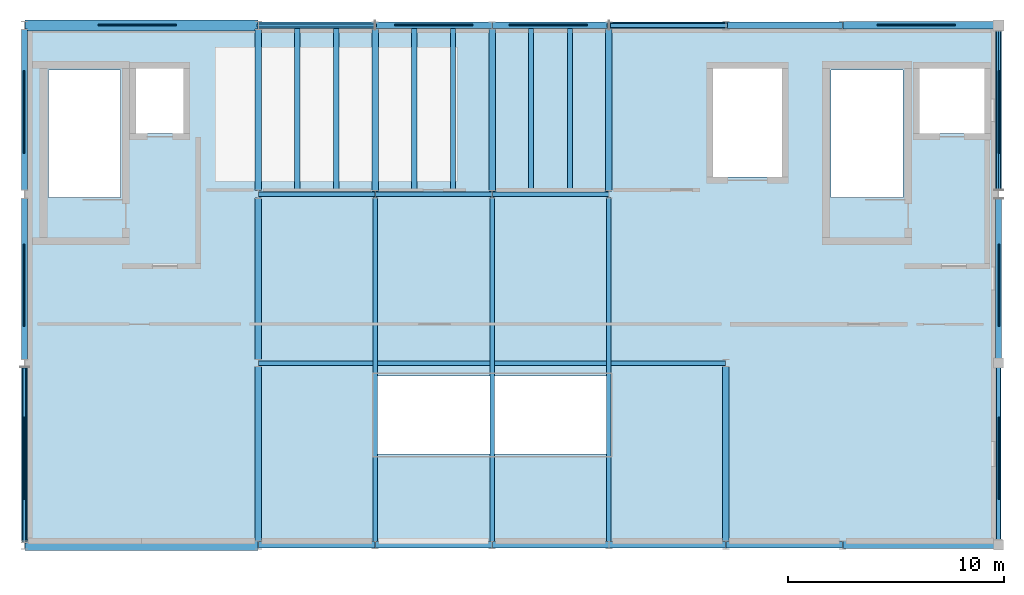
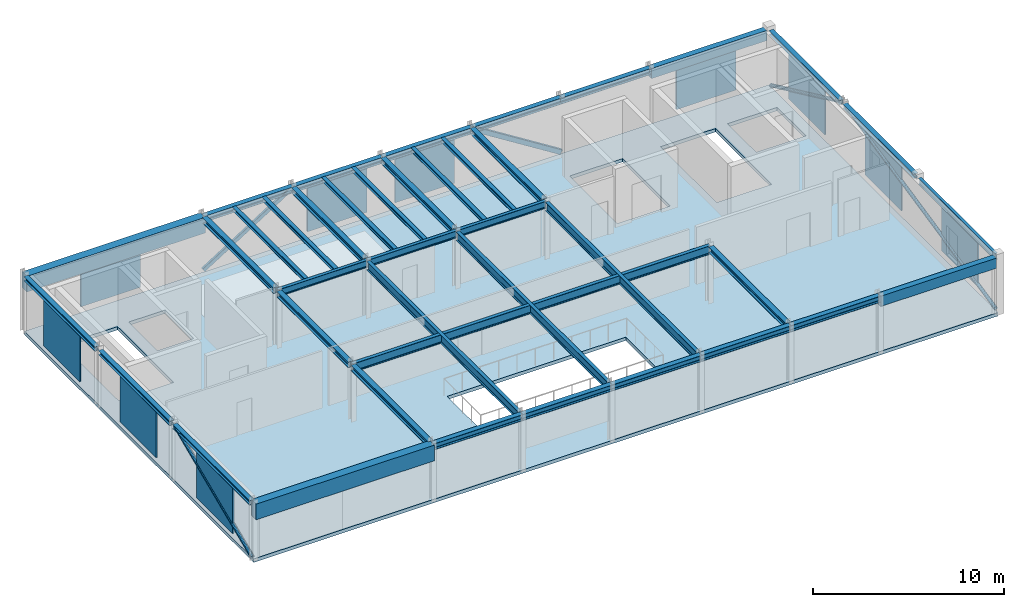
# One storey, part 3 of 8: 40 beams, 10 plates, 5 members, 1 slab.
"""IFC4 building model written with IfcOpenShell, lengths in metres."""

from ifc_helpers import new_model, si_unit, direction, frame, origin, origin_2d, place, context, subcontext, project, spatial, polyline, rectangle, hollow_rectangle, hollow_circle, i_section, outline, extrude, material, layer, layer_set, material_profile, profile_set, type_object, element, save


model = new_model("IFC4")

# Units and contexts
model_context = context("Model", 3, precision=1e-05, world=origin(), true_north=direction((0.0, 1.0)))
body_context = subcontext(model_context, "Body", "Model", "MODEL_VIEW")
ifc_project = project(units=[si_unit("LENGTHUNIT", "METRE"), si_unit("AREAUNIT", "SQUARE_METRE"), si_unit("VOLUMEUNIT", "CUBIC_METRE"), si_unit("PLANEANGLEUNIT", "RADIAN"), si_unit("MASSUNIT", "GRAM", prefix="KILO")], contexts=[model_context])

# Site, building, storey
site_placement = place(None, origin())
site = spatial("IfcSite", under=ifc_project, at=site_placement, CompositionType="ELEMENT")
building_placement = place(site_placement, origin())
building = spatial("IfcBuilding", under=site, at=building_placement, Name="Tazoul Stagehouse", CompositionType="ELEMENT")
storey_placement = place(building_placement, frame((0.0, 0.0, 21.0)))
storey = spatial("IfcBuildingStorey", under=building, at=storey_placement, Name="L05", CompositionType="ELEMENT", Elevation=21.0)

# Members
ifc_material_1 = material(Name="Steel S355", Category="steel")
ifc_material_profile_1 = material_profile(ifc_material_1, hollow_circle(Radius=0.109619140625, WallThickness=0.010009765625, at=origin_2d()), Name="CHS 219.1x10")
ifc_profile_set_1 = profile_set([ifc_material_profile_1], Name="Steel S355")
member_type_1 = type_object("IfcMemberType", Name="Fly-Tower Upper Brace CHS 219.1x10 (Exterior)", PredefinedType="BRACE", material=ifc_profile_set_1)
member_1_placement = place(storey_placement, frame((57.60009765625, 87.919921875, 0.050048828125), z_axis=(0.0, 0.91797032685, 0.396649062804), x_axis=(-1.0, 0.0, 0.0)))
element("IfcMember", 1, at=member_1_placement, inside=storey, type_object=member_type_1, Name="L05 Concentric Brace BR-02E (BR-FT-L05-W1)", PredefinedType="BRACE", context=body_context, shape_type="SweptSolid", body=[
    extrude(hollow_circle(Radius=0.109619140625, WallThickness=0.010009765625, at=origin_2d()), origin(), (0.0, 0.0, 1.0), 8.823974609375),
])
member_2_placement = place(storey_placement, frame((102.60009765625, 88.050048828125, 0.1201171875), z_axis=(0.0, 0.97709879182, 0.212786162672), x_axis=(-1.0, 0.0, 0.0)))
element("IfcMember", 2, at=member_2_placement, inside=storey, type_object=member_type_1, Name="L05 Concentric Brace BR-02E (BR-FT-L05-E1)", PredefinedType="BRACE", context=body_context, shape_type="SweptSolid", body=[
    extrude(hollow_circle(Radius=0.109619140625, WallThickness=0.010009765625, at=origin_2d()), origin(), (0.0, 0.0, 1.0), 16.119140625),
])
member_3_placement = place(storey_placement, frame((102.60009765625, 111.550048828125, 0.1201171875), z_axis=(0.0, -0.906188522756, 0.422873930652), x_axis=(1.0, 0.0, 0.0)))
element("IfcMember", 3, at=member_3_placement, inside=storey, type_object=member_type_1, Name="L05 Concentric Brace BR-02E (BR-FT-L05-E2)", PredefinedType="BRACE", context=body_context, shape_type="SweptSolid", body=[
    extrude(hollow_circle(Radius=0.109619140625, WallThickness=0.010009765625, at=origin_2d()), origin(), (0.0, 0.0, 1.0), 8.111083984375),
])
ifc_material_profile_2 = material_profile(ifc_material_1, hollow_rectangle(XDim=0.199951171875, YDim=0.300048828125, WallThickness=0.012451171875, InnerFilletRadius=0.012451171875, OuterFilletRadius=0.018798828125, at=origin_2d()), Name="RHS 300x200x12.5")
ifc_profile_set_2 = profile_set([ifc_material_profile_2], Name="Steel S355")
member_type_2 = type_object("IfcMemberType", Name="Heavy Frame Brace RHS 300x200x12.5 (Exterior)", PredefinedType="BRACE", material=ifc_profile_set_2)
member_4_placement = place(storey_placement, frame((90.0, 111.800048828125, 0.14990234375), z_axis=(-0.846218144908, 0.0, 0.532836608379), x_axis=(0.0, -1.0, 0.0)))
element("IfcMember", 4, at=member_4_placement, inside=storey, type_object=member_type_2, Name="L05 Concentric Brace BR-06E (BR-FT-L05-N2)", PredefinedType="BRACE", context=body_context, shape_type="SweptSolid", body=[
    extrude(hollow_rectangle(XDim=0.199951171875, YDim=0.300048828125, WallThickness=0.012451171875, InnerFilletRadius=0.012451171875, OuterFilletRadius=0.018798828125, at=origin_2d()), origin(), (0.0, 0.0, 1.0), 6.381103515625),
])
ifc_material_profile_3 = material_profile(ifc_material_1, hollow_rectangle(XDim=0.14990234375, YDim=0.25, WallThickness=0.010009765625, InnerFilletRadius=0.010009765625, OuterFilletRadius=0.014892578125, at=origin_2d()), Name="RHS 250x150x10")
ifc_profile_set_3 = profile_set([ifc_material_profile_3], Name="Steel S355")
member_type_3 = type_object("IfcMemberType", Name="Lateral Frame Brace RHS 250x150x10 (Exterior)", PredefinedType="BRACE", material=ifc_profile_set_3)
member_5_placement = place(storey_placement, frame((68.39990234375, 111.800048828125, 0.14990234375), z_axis=(0.84622900675, 0.0, 0.532819357883), x_axis=(0.0, 1.0, 0.0)))
element("IfcMember", 5, at=member_5_placement, inside=storey, type_object=member_type_3, Name="L05 Concentric Brace BR-05E (BR-FT-L05-N1)", PredefinedType="BRACE", context=body_context, shape_type="SweptSolid", body=[
    extrude(hollow_rectangle(XDim=0.14990234375, YDim=0.25, WallThickness=0.010009765625, InnerFilletRadius=0.010009765625, OuterFilletRadius=0.014892578125, at=origin_2d()), origin(), (0.0, 0.0, 1.0), 6.38134765625),
])

# Beams
ifc_material_2 = material(Name="Concrete C40/50", Category="concrete")
ifc_material_profile_4 = material_profile(ifc_material_2, rectangle(XDim=0.35009765625, YDim=0.64990234375, at=origin_2d()), Name="RC 350x650")
ifc_profile_set_4 = profile_set([ifc_material_profile_4], Name="Concrete C40/50")
beam_type_1 = type_object("IfcBeamType", Name="RC Perimeter Spandrel 350x650 (Exterior)", PredefinedType="SPANDREL", material=ifc_profile_set_4)
beam_1_placement = place(storey_placement, frame((95.409912109375, 87.800048828125, 3.3330078125), z_axis=(1.0, 0.0, 0.0), x_axis=(0.0, 1.0, 0.0)))
element("IfcBeam", 6, at=beam_1_placement, inside=storey, type_object=beam_type_1, Name="L05 Beam SP-01E N/15-16", PredefinedType="SPANDREL", context=body_context, shape_type="SweptSolid", body=[
    extrude(rectangle(XDim=0.35009765625, YDim=0.64990234375, at=origin_2d()), origin(), (0.0, 0.0, 1.0), 6.989990234375),
])
beam_2_placement = place(storey_placement, frame((95.409912109375, 111.800048828125, 3.3330078125), z_axis=(1.0, 0.0, 0.0), x_axis=(0.0, 1.0, 0.0)))
element("IfcBeam", 7, at=beam_2_placement, inside=storey, type_object=beam_type_1, Name="L05 Beam SP-01E R/15-16", PredefinedType="SPANDREL", context=body_context, shape_type="SweptSolid", body=[
    extrude(rectangle(XDim=0.35009765625, YDim=0.64990234375, at=origin_2d()), origin(), (0.0, 0.0, 1.0), 6.965087890625),
])
ifc_material_profile_5 = material_profile(ifc_material_2, rectangle(XDim=0.5, YDim=1.0, at=origin_2d()), Name="RC 500x1000")
ifc_profile_set_5 = profile_set([ifc_material_profile_5], Name="Concrete C40/50")
beam_type_2 = type_object("IfcBeamType", Name="RC Transfer Girder 500x1000 (Exterior)", PredefinedType="BEAM", material=ifc_profile_set_5)
for number, where, z_axis, x_axis, name in (
    (8, (57.610107421875, 87.800048828125, 3.157958984375), (1.0, 0.0, 0.0), (0.0, 1.0, 0.0), "L05 Beam BM-04E N/8-10"),
    (9, (57.610107421875, 111.800048828125, 3.157958984375), (1.0, 0.0, 0.0), (0.0, 1.0, 0.0), "L05 Beam BM-04E R/8-10"),
):
    element("IfcBeam", number, at=place(storey_placement, frame(where, z_axis=z_axis, x_axis=x_axis)), inside=storey, type_object=beam_type_2, Name=name, PredefinedType="BEAM", context=body_context, shape_type="SweptSolid", body=[
        extrude(rectangle(XDim=0.5, YDim=1.0, at=origin_2d()), origin(), (0.0, 0.0, 1.0), 10.77978515625),
    ])
ifc_material_profile_6 = material_profile(ifc_material_1, i_section(OverallWidth=0.280029296875, OverallDepth=0.27001953125, WebThickness=0.008056640625, FlangeThickness=0.012939453125, FilletRadius=0.02392578125, at=origin_2d()), Name="HEA 280")
ifc_profile_set_6 = profile_set([ifc_material_profile_6], Name="Steel S355")
beam_type_3 = type_object("IfcBeamType", Name="Steel Facade Spandrel HEA 280 (Exterior)", PredefinedType="SPANDREL", material=ifc_profile_set_6)
beam_3_placement = place(storey_placement, frame((57.60009765625, 87.97509765625, 3.52294921875), z_axis=(0.0, 1.0, 0.0), x_axis=(-1.0, 0.0, 0.0)))
element("IfcBeam", 10, at=beam_3_placement, inside=storey, type_object=beam_type_3, Name="L05 Beam SP-02E 8/N-P", PredefinedType="SPANDREL", context=body_context, shape_type="SweptSolid", body=[
    extrude(i_section(OverallWidth=0.280029296875, OverallDepth=0.27001953125, WebThickness=0.008056640625, FlangeThickness=0.012939453125, FilletRadius=0.02392578125, at=origin_2d()), origin(), (0.0, 0.0, 1.0), 8.06982421875),
])
beam_4_placement = place(storey_placement, frame((57.60009765625, 96.35498046875, 3.52294921875), z_axis=(0.0, 1.0, 0.0), x_axis=(-1.0, 0.0, 0.0)))
element("IfcBeam", 11, at=beam_4_placement, inside=storey, type_object=beam_type_3, Name="L05 Beam SP-02E 8/P-Q", PredefinedType="SPANDREL", context=body_context, shape_type="SweptSolid", body=[
    extrude(i_section(OverallWidth=0.280029296875, OverallDepth=0.27001953125, WebThickness=0.008056640625, FlangeThickness=0.012939453125, FilletRadius=0.02392578125, at=origin_2d()), origin(), (0.0, 0.0, 1.0), 7.469970703125),
])
beam_5_placement = place(storey_placement, frame((57.60009765625, 104.175048828125, 3.52294921875), z_axis=(0.0, 1.0, 0.0), x_axis=(-1.0, 0.0, 0.0)))
element("IfcBeam", 12, at=beam_5_placement, inside=storey, type_object=beam_type_3, Name="L05 Beam SP-02E 8/Q-R", PredefinedType="SPANDREL", context=body_context, shape_type="SweptSolid", body=[
    extrude(i_section(OverallWidth=0.280029296875, OverallDepth=0.27001953125, WebThickness=0.008056640625, FlangeThickness=0.012939453125, FilletRadius=0.02392578125, at=origin_2d()), origin(), (0.0, 0.0, 1.0), 7.449951171875),
])
beam_6_placement = place(storey_placement, frame((102.60009765625, 96.39990234375, 3.52294921875), z_axis=(0.0, 1.0, 0.0), x_axis=(-1.0, 0.0, 0.0)))
element("IfcBeam", 13, at=beam_6_placement, inside=storey, type_object=beam_type_3, Name="L05 Beam SP-02E 16/P-Q", PredefinedType="SPANDREL", context=body_context, shape_type="SweptSolid", body=[
    extrude(i_section(OverallWidth=0.280029296875, OverallDepth=0.27001953125, WebThickness=0.008056640625, FlangeThickness=0.012939453125, FilletRadius=0.02392578125, at=origin_2d()), origin(), (0.0, 0.0, 1.0), 7.425048828125),
])
beam_7_placement = place(storey_placement, frame((102.60009765625, 104.175048828125, 3.52294921875), z_axis=(0.0, 1.0, 0.0), x_axis=(-1.0, 0.0, 0.0)))
element("IfcBeam", 14, at=beam_7_placement, inside=storey, type_object=beam_type_3, Name="L05 Beam SP-02E 16/Q-R", PredefinedType="SPANDREL", context=body_context, shape_type="SweptSolid", body=[
    extrude(i_section(OverallWidth=0.280029296875, OverallDepth=0.27001953125, WebThickness=0.008056640625, FlangeThickness=0.012939453125, FilletRadius=0.02392578125, at=origin_2d()), origin(), (0.0, 0.0, 1.0), 7.39990234375),
])
ifc_material_profile_7 = material_profile(ifc_material_1, i_section(OverallWidth=0.300048828125, OverallDepth=0.35009765625, WebThickness=0.010009765625, FlangeThickness=0.017578125, FilletRadius=0.027099609375, at=origin_2d()), Name="HEA 360")
ifc_profile_set_7 = profile_set([ifc_material_profile_7], Name="Steel S355")
beam_type_4 = type_object("IfcBeamType", Name="Steel Fly-Tower Ring Beam HEA 360", PredefinedType="BEAM", material=ifc_profile_set_7)
beam_8_placement = place(storey_placement, frame((68.39990234375, 87.97509765625, 3.48291015625), z_axis=(0.0, 1.0, 0.0), x_axis=(-1.0, 0.0, 0.0)))
element("IfcBeam", 15, at=beam_8_placement, inside=storey, type_object=beam_type_4, Name="L05 Beam SB-07 10/N-P", PredefinedType="BEAM", context=body_context, shape_type="SweptSolid", body=[
    extrude(i_section(OverallWidth=0.300048828125, OverallDepth=0.35009765625, WebThickness=0.010009765625, FlangeThickness=0.017578125, FilletRadius=0.027099609375, at=origin_2d()), origin(), (0.0, 0.0, 1.0), 8.06982421875),
])
beam_9_placement = place(storey_placement, frame((68.39990234375, 96.35498046875, 3.48291015625), z_axis=(0.0, 1.0, 0.0), x_axis=(-1.0, 0.0, 0.0)))
element("IfcBeam", 16, at=beam_9_placement, inside=storey, type_object=beam_type_4, Name="L05 Beam SB-07 10/P-Q", PredefinedType="BEAM", context=body_context, shape_type="SweptSolid", body=[
    extrude(i_section(OverallWidth=0.300048828125, OverallDepth=0.35009765625, WebThickness=0.010009765625, FlangeThickness=0.017578125, FilletRadius=0.027099609375, at=origin_2d()), origin(), (0.0, 0.0, 1.0), 7.469970703125),
])
beam_10_placement = place(storey_placement, frame((68.39990234375, 104.175048828125, 3.48291015625), z_axis=(0.0, 1.0, 0.0), x_axis=(-1.0, 0.0, 0.0)))
element("IfcBeam", 17, at=beam_10_placement, inside=storey, type_object=beam_type_4, Name="L05 Beam SB-07 10/Q-R", PredefinedType="BEAM", context=body_context, shape_type="SweptSolid", body=[
    extrude(i_section(OverallWidth=0.300048828125, OverallDepth=0.35009765625, WebThickness=0.010009765625, FlangeThickness=0.017578125, FilletRadius=0.027099609375, at=origin_2d()), origin(), (0.0, 0.0, 1.0), 7.449951171875),
])
for number, where, z_axis, x_axis, name in (
    (18, (73.800048828125, 104.155029296875, 3.48291015625), (0.0, 1.0, 0.0), (-1.0, 0.0, 0.0), "L05 Beam SB-07 11/Q-R"),
    (19, (79.199951171875, 104.155029296875, 3.48291015625), (0.0, 1.0, 0.0), (-1.0, 0.0, 0.0), "L05 Beam SB-07 12/Q-R"),
    (20, (84.60009765625, 104.155029296875, 3.48291015625), (0.0, 1.0, 0.0), (-1.0, 0.0, 0.0), "L05 Beam SB-07 13/Q-R"),
):
    element("IfcBeam", number, at=place(storey_placement, frame(where, z_axis=z_axis, x_axis=x_axis)), inside=storey, type_object=beam_type_4, Name=name, PredefinedType="BEAM", context=body_context, shape_type="SweptSolid", body=[
        extrude(i_section(OverallWidth=0.300048828125, OverallDepth=0.35009765625, WebThickness=0.010009765625, FlangeThickness=0.017578125, FilletRadius=0.027099609375, at=origin_2d()), origin(), (0.0, 0.0, 1.0), 7.489990234375),
    ])
beam_11_placement = place(storey_placement, frame((90.0, 87.97509765625, 3.48291015625), z_axis=(0.0, 1.0, 0.0), x_axis=(-1.0, 0.0, 0.0)))
element("IfcBeam", 21, at=beam_11_placement, inside=storey, type_object=beam_type_4, Name="L05 Beam SB-07 14/N-P", PredefinedType="BEAM", context=body_context, shape_type="SweptSolid", body=[
    extrude(i_section(OverallWidth=0.300048828125, OverallDepth=0.35009765625, WebThickness=0.010009765625, FlangeThickness=0.017578125, FilletRadius=0.027099609375, at=origin_2d()), origin(), (0.0, 0.0, 1.0), 8.06982421875),
])
ifc_material_profile_8 = material_profile(ifc_material_1, i_section(OverallWidth=0.300048828125, OverallDepth=0.389892578125, WebThickness=0.010986328125, FlangeThickness=0.01904296875, FilletRadius=0.027099609375, at=origin_2d()), Name="HEA 400")
ifc_profile_set_8 = profile_set([ifc_material_profile_8], Name="Steel S355")
beam_type_5 = type_object("IfcBeamType", Name="Steel Fly-Tower Spandrel HEA 400 (Exterior)", PredefinedType="SPANDREL", material=ifc_profile_set_8)
beam_12_placement = place(storey_placement, frame((68.409912109375, 87.800048828125, 3.462890625), z_axis=(1.0, 0.0, 0.0), x_axis=(0.0, 1.0, 0.0)))
element("IfcBeam", 22, at=beam_12_placement, inside=storey, type_object=beam_type_5, Name="L05 Beam SP-04E N/10-11", PredefinedType="SPANDREL", context=body_context, shape_type="SweptSolid", body=[
    extrude(i_section(OverallWidth=0.300048828125, OverallDepth=0.389892578125, WebThickness=0.010986328125, FlangeThickness=0.01904296875, FilletRadius=0.027099609375, at=origin_2d()), origin(), (0.0, 0.0, 1.0), 5.380126953125),
])
beam_13_placement = place(storey_placement, frame((73.81005859375, 87.800048828125, 3.462890625), z_axis=(1.0, 0.0, 0.0), x_axis=(0.0, 1.0, 0.0)))
element("IfcBeam", 23, at=beam_13_placement, inside=storey, type_object=beam_type_5, Name="L05 Beam SP-04E N/11-12", PredefinedType="SPANDREL", context=body_context, shape_type="SweptSolid", body=[
    extrude(i_section(OverallWidth=0.300048828125, OverallDepth=0.389892578125, WebThickness=0.010986328125, FlangeThickness=0.01904296875, FilletRadius=0.027099609375, at=origin_2d()), origin(), (0.0, 0.0, 1.0), 5.3798828125),
])
beam_14_placement = place(storey_placement, frame((79.2099609375, 87.800048828125, 3.462890625), z_axis=(1.0, 0.0, 0.0), x_axis=(0.0, 1.0, 0.0)))
element("IfcBeam", 24, at=beam_14_placement, inside=storey, type_object=beam_type_5, Name="L05 Beam SP-04E N/12-13", PredefinedType="SPANDREL", context=body_context, shape_type="SweptSolid", body=[
    extrude(i_section(OverallWidth=0.300048828125, OverallDepth=0.389892578125, WebThickness=0.010986328125, FlangeThickness=0.01904296875, FilletRadius=0.027099609375, at=origin_2d()), origin(), (0.0, 0.0, 1.0), 5.380126953125),
])
for number, where, z_axis, x_axis, name in (
    (25, (84.610107421875, 87.800048828125, 3.462890625), (1.0, 0.0, 0.0), (0.0, 1.0, 0.0), "L05 Beam SP-04E N/13-14"),
    (26, (90.010009765625, 87.800048828125, 3.462890625), (1.0, 0.0, 0.0), (0.0, 1.0, 0.0), "L05 Beam SP-04E N/14-15"),
):
    element("IfcBeam", number, at=place(storey_placement, frame(where, z_axis=z_axis, x_axis=x_axis)), inside=storey, type_object=beam_type_5, Name=name, PredefinedType="SPANDREL", context=body_context, shape_type="SweptSolid", body=[
        extrude(i_section(OverallWidth=0.300048828125, OverallDepth=0.389892578125, WebThickness=0.010986328125, FlangeThickness=0.01904296875, FilletRadius=0.027099609375, at=origin_2d()), origin(), (0.0, 0.0, 1.0), 5.3798828125),
    ])
beam_15_placement = place(storey_placement, frame((68.409912109375, 111.800048828125, 3.462890625), z_axis=(1.0, 0.0, 0.0), x_axis=(0.0, 1.0, 0.0)))
element("IfcBeam", 27, at=beam_15_placement, inside=storey, type_object=beam_type_5, Name="L05 Beam SP-04E R/10-11", PredefinedType="SPANDREL", context=body_context, shape_type="SweptSolid", body=[
    extrude(i_section(OverallWidth=0.300048828125, OverallDepth=0.389892578125, WebThickness=0.010986328125, FlangeThickness=0.01904296875, FilletRadius=0.027099609375, at=origin_2d()), origin(), (0.0, 0.0, 1.0), 5.380126953125),
])
beam_16_placement = place(storey_placement, frame((73.81005859375, 111.800048828125, 3.462890625), z_axis=(1.0, 0.0, 0.0), x_axis=(0.0, 1.0, 0.0)))
element("IfcBeam", 28, at=beam_16_placement, inside=storey, type_object=beam_type_5, Name="L05 Beam SP-04E R/11-12", PredefinedType="SPANDREL", context=body_context, shape_type="SweptSolid", body=[
    extrude(i_section(OverallWidth=0.300048828125, OverallDepth=0.389892578125, WebThickness=0.010986328125, FlangeThickness=0.01904296875, FilletRadius=0.027099609375, at=origin_2d()), origin(), (0.0, 0.0, 1.0), 5.3798828125),
])
beam_17_placement = place(storey_placement, frame((79.2099609375, 111.800048828125, 3.462890625), z_axis=(1.0, 0.0, 0.0), x_axis=(0.0, 1.0, 0.0)))
element("IfcBeam", 29, at=beam_17_placement, inside=storey, type_object=beam_type_5, Name="L05 Beam SP-04E R/12-13", PredefinedType="SPANDREL", context=body_context, shape_type="SweptSolid", body=[
    extrude(i_section(OverallWidth=0.300048828125, OverallDepth=0.389892578125, WebThickness=0.010986328125, FlangeThickness=0.01904296875, FilletRadius=0.027099609375, at=origin_2d()), origin(), (0.0, 0.0, 1.0), 5.380126953125),
])
for number, where, z_axis, x_axis, name in (
    (30, (84.610107421875, 111.800048828125, 3.462890625), (1.0, 0.0, 0.0), (0.0, 1.0, 0.0), "L05 Beam SP-04E R/13-14"),
    (31, (90.010009765625, 111.800048828125, 3.462890625), (1.0, 0.0, 0.0), (0.0, 1.0, 0.0), "L05 Beam SP-04E R/14-15"),
):
    element("IfcBeam", number, at=place(storey_placement, frame(where, z_axis=z_axis, x_axis=x_axis)), inside=storey, type_object=beam_type_5, Name=name, PredefinedType="SPANDREL", context=body_context, shape_type="SweptSolid", body=[
        extrude(i_section(OverallWidth=0.300048828125, OverallDepth=0.389892578125, WebThickness=0.010986328125, FlangeThickness=0.01904296875, FilletRadius=0.027099609375, at=origin_2d()), origin(), (0.0, 0.0, 1.0), 5.3798828125),
    ])
ifc_material_profile_9 = material_profile(ifc_material_1, i_section(OverallWidth=0.239990234375, OverallDepth=0.22998046875, WebThickness=0.007568359375, FlangeThickness=0.011962890625, FilletRadius=0.02099609375, at=origin_2d()), Name="HEA 240")
ifc_profile_set_9 = profile_set([ifc_material_profile_9], Name="Steel S355")
beam_type_6 = type_object("IfcBeamType", Name="Steel Gridiron Joist HEA 240", PredefinedType="JOIST", material=ifc_profile_set_9)
for number, where, z_axis, x_axis, name in (
    (32, (70.199951171875, 104.070068359375, 3.54296875), (0.0, 1.0, 0.0), (-1.0, 0.0, 0.0), "L05 Joist JS-05 10/Q-1"),
    (33, (72.0, 104.070068359375, 3.54296875), (0.0, 1.0, 0.0), (-1.0, 0.0, 0.0), "L05 Joist JS-05 10/Q-2"),
    (34, (75.60009765625, 104.070068359375, 3.54296875), (0.0, 1.0, 0.0), (-1.0, 0.0, 0.0), "L05 Joist JS-05 11/Q-1"),
    (35, (77.39990234375, 104.070068359375, 3.54296875), (0.0, 1.0, 0.0), (-1.0, 0.0, 0.0), "L05 Joist JS-05 11/Q-2"),
    (36, (81.0, 104.070068359375, 3.54296875), (0.0, 1.0, 0.0), (-1.0, 0.0, 0.0), "L05 Joist JS-05 12/Q-1"),
    (37, (82.800048828125, 104.070068359375, 3.54296875), (0.0, 1.0, 0.0), (-1.0, 0.0, 0.0), "L05 Joist JS-05 12/Q-2"),
):
    element("IfcBeam", number, at=place(storey_placement, frame(where, z_axis=z_axis, x_axis=x_axis)), inside=storey, type_object=beam_type_6, Name=name, PredefinedType="JOIST", context=body_context, shape_type="SweptSolid", body=[
        extrude(i_section(OverallWidth=0.239990234375, OverallDepth=0.22998046875, WebThickness=0.007568359375, FlangeThickness=0.011962890625, FilletRadius=0.02099609375, at=origin_2d()), origin(), (0.0, 0.0, 1.0), 7.60498046875),
    ])
ifc_material_profile_10 = material_profile(ifc_material_1, i_section(OverallWidth=0.2099609375, OverallDepth=0.550048828125, WebThickness=0.010986328125, FlangeThickness=0.01708984375, FilletRadius=0.02392578125, at=origin_2d()), Name="IPE 550")
ifc_profile_set_10 = profile_set([ifc_material_profile_10], Name="Steel S355")
beam_type_7 = type_object("IfcBeamType", Name="Steel Hall Girder IPE 550", PredefinedType="BEAM", material=ifc_profile_set_10)
beam_18_placement = place(storey_placement, frame((68.409912109375, 96.199951171875, 3.383056640625), z_axis=(1.0, 0.0, 0.0), x_axis=(0.0, 1.0, 0.0)))
element("IfcBeam", 38, at=beam_18_placement, inside=storey, type_object=beam_type_7, Name="L05 Beam SB-05 P/10-14", PredefinedType="BEAM", context=body_context, shape_type="SweptSolid", body=[
    extrude(i_section(OverallWidth=0.2099609375, OverallDepth=0.550048828125, WebThickness=0.010986328125, FlangeThickness=0.01708984375, FilletRadius=0.02392578125, at=origin_2d()), origin(), (0.0, 0.0, 1.0), 21.580078125),
])
for number, where, z_axis, x_axis, name in (
    (39, (73.800048828125, 87.955078125, 3.383056640625), (0.0, 1.0, 0.0), (-1.0, 0.0, 0.0), "L05 Beam SB-05 11/N-Q"),
    (40, (79.199951171875, 87.955078125, 3.383056640625), (0.0, 1.0, 0.0), (-1.0, 0.0, 0.0), "L05 Beam SB-05 12/N-Q"),
    (41, (84.60009765625, 87.955078125, 3.383056640625), (0.0, 1.0, 0.0), (-1.0, 0.0, 0.0), "L05 Beam SB-05 13/N-Q"),
):
    element("IfcBeam", number, at=place(storey_placement, frame(where, z_axis=z_axis, x_axis=x_axis)), inside=storey, type_object=beam_type_7, Name=name, PredefinedType="BEAM", context=body_context, shape_type="SweptSolid", body=[
        extrude(i_section(OverallWidth=0.2099609375, OverallDepth=0.550048828125, WebThickness=0.010986328125, FlangeThickness=0.01708984375, FilletRadius=0.02392578125, at=origin_2d()), origin(), (0.0, 0.0, 1.0), 15.889892578125),
    ])
ifc_material_profile_11 = material_profile(ifc_material_1, i_section(OverallWidth=0.179931640625, OverallDepth=0.39990234375, WebThickness=0.008544921875, FlangeThickness=0.013427734375, FilletRadius=0.02099609375, at=origin_2d()), Name="IPE 400")
ifc_profile_set_11 = profile_set([ifc_material_profile_11], Name="Steel S355")
beam_type_8 = type_object("IfcBeamType", Name="Steel Primary Girder IPE 400 (Exterior)", PredefinedType="BEAM", material=ifc_profile_set_11)
beam_19_placement = place(storey_placement, frame((102.60009765625, 88.0, 3.4580078125), z_axis=(0.0, 1.0, 0.0), x_axis=(-1.0, 0.0, 0.0)))
element("IfcBeam", 42, at=beam_19_placement, inside=storey, type_object=beam_type_8, Name="L05 Beam SB-02E 16/N-P", PredefinedType="BEAM", context=body_context, shape_type="SweptSolid", body=[
    extrude(i_section(OverallWidth=0.179931640625, OverallDepth=0.39990234375, WebThickness=0.008544921875, FlangeThickness=0.013427734375, FilletRadius=0.02099609375, at=origin_2d()), origin(), (0.0, 0.0, 1.0), 8.0),
])
ifc_material_profile_12 = material_profile(ifc_material_1, i_section(OverallWidth=0.18994140625, OverallDepth=0.449951171875, WebThickness=0.009521484375, FlangeThickness=0.0146484375, FilletRadius=0.02099609375, at=origin_2d()), Name="IPE 450")
ifc_profile_set_12 = profile_set([ifc_material_profile_12], Name="Steel S355")
beam_type_9 = type_object("IfcBeamType", Name="Steel Stage Girder IPE 450", PredefinedType="BEAM", material=ifc_profile_set_12)
beam_20_placement = place(storey_placement, frame((68.409912109375, 104.0, 3.43310546875), z_axis=(1.0, 0.0, 0.0), x_axis=(0.0, 1.0, 0.0)))
element("IfcBeam", 43, at=beam_20_placement, inside=storey, type_object=beam_type_9, Name="L05 Beam SB-03 Q/10-11", PredefinedType="BEAM", context=body_context, shape_type="SweptSolid", body=[
    extrude(i_section(OverallWidth=0.18994140625, OverallDepth=0.449951171875, WebThickness=0.009521484375, FlangeThickness=0.0146484375, FilletRadius=0.02099609375, at=origin_2d()), origin(), (0.0, 0.0, 1.0), 5.380126953125),
])
beam_21_placement = place(storey_placement, frame((73.81005859375, 104.0, 3.43310546875), z_axis=(1.0, 0.0, 0.0), x_axis=(0.0, 1.0, 0.0)))
element("IfcBeam", 44, at=beam_21_placement, inside=storey, type_object=beam_type_9, Name="L05 Beam SB-03 Q/11-12", PredefinedType="BEAM", context=body_context, shape_type="SweptSolid", body=[
    extrude(i_section(OverallWidth=0.18994140625, OverallDepth=0.449951171875, WebThickness=0.009521484375, FlangeThickness=0.0146484375, FilletRadius=0.02099609375, at=origin_2d()), origin(), (0.0, 0.0, 1.0), 5.3798828125),
])
beam_22_placement = place(storey_placement, frame((79.2099609375, 104.0, 3.43310546875), z_axis=(1.0, 0.0, 0.0), x_axis=(0.0, 1.0, 0.0)))
element("IfcBeam", 45, at=beam_22_placement, inside=storey, type_object=beam_type_9, Name="L05 Beam SB-03 Q/12-13", PredefinedType="BEAM", context=body_context, shape_type="SweptSolid", body=[
    extrude(i_section(OverallWidth=0.18994140625, OverallDepth=0.449951171875, WebThickness=0.009521484375, FlangeThickness=0.0146484375, FilletRadius=0.02099609375, at=origin_2d()), origin(), (0.0, 0.0, 1.0), 5.380126953125),
])

# Plates
ifc_material_3 = material(Name="Anodised Bronze Aluminium 6063-T6", Category="aluminium")
ifc_layer_1 = layer(ifc_material_3, 0.080078125, Name="Anodised Bronze Aluminium 6063-T6")
ifc_layer_set_1 = layer_set([ifc_layer_1], Name="Anodised Bronze Aluminium 6063-T6")
plate_type = type_object("IfcPlateType", Name="Fly-Tower Acoustic Metal Cladding Cassette 80", PredefinedType="USERDEFINED", material=ifc_layer_set_1)
for number, where, z_axis, x_axis, name in (
    (46, (57.580078125, 91.800048828125, 0.375), (0.0, 0.0, 1.0), (0.0, 1.0, 0.0), "L05 Fly-Tower Metal Cladding Panel MTL-01 W1"),
    (47, (102.6201171875, 91.800048828125, 0.375), (0.0, 0.0, 1.0), (0.0, 1.0, 0.0), "L05 Fly-Tower Metal Cladding Panel MTL-01 E1"),
    (48, (57.580078125, 99.800048828125, 0.375), (0.0, 0.0, 1.0), (0.0, 1.0, 0.0), "L05 Fly-Tower Metal Cladding Panel MTL-01 W2"),
    (49, (102.6201171875, 99.800048828125, 0.375), (0.0, 0.0, 1.0), (0.0, 1.0, 0.0), "L05 Fly-Tower Metal Cladding Panel MTL-01 E2"),
    (50, (57.580078125, 107.800048828125, 0.375), (0.0, 0.0, 1.0), (0.0, 1.0, 0.0), "L05 Fly-Tower Metal Cladding Panel MTL-01 W3"),
    (51, (102.6201171875, 107.800048828125, 0.375), (0.0, 0.0, 1.0), (0.0, 1.0, 0.0), "L05 Fly-Tower Metal Cladding Panel MTL-01 E3"),
):
    element("IfcPlate", number, at=place(storey_placement, frame(where, z_axis=z_axis, x_axis=x_axis)), inside=storey, type_object=plate_type, Name=name, ObjectType="CLADDING PANEL", PredefinedType="USERDEFINED", context=body_context, shape_type="SweptSolid", body=[
        extrude(rectangle(XDim=3.800048828125, YDim=0.080078125, at=origin_2d()), origin(), (0.0, 0.0, 1.0), 2.89990234375),
    ])
for number, where, z_axis, x_axis, name in (
    (52, (62.800048828125, 111.820068359375, 0.375), (0.0, 0.0, 1.0), (1.0, 0.0, 0.0), "L05 Fly-Tower Metal Cladding Panel MTL-01 N1"),
    (53, (76.5, 111.820068359375, 0.375), (0.0, 0.0, 1.0), (1.0, 0.0, 0.0), "L05 Fly-Tower Metal Cladding Panel MTL-01 N2"),
    (54, (81.800048828125, 111.820068359375, 0.375), (0.0, 0.0, 1.0), (1.0, 0.0, 0.0), "L05 Fly-Tower Metal Cladding Panel MTL-01 N3"),
    (55, (98.800048828125, 111.820068359375, 0.375), (0.0, 0.0, 1.0), (1.0, 0.0, 0.0), "L05 Fly-Tower Metal Cladding Panel MTL-01 N4"),
):
    element("IfcPlate", number, at=place(storey_placement, frame(where, z_axis=z_axis, x_axis=x_axis)), inside=storey, type_object=plate_type, Name=name, ObjectType="CLADDING PANEL", PredefinedType="USERDEFINED", context=body_context, shape_type="SweptSolid", body=[
        extrude(rectangle(XDim=3.60009765625, YDim=0.080078125, at=origin_2d()), origin(), (0.0, 0.0, 1.0), 2.89990234375),
    ])

# Slab
ifc_material_4 = material(Name="Concrete C35/45", Category="concrete")
ifc_layer_2 = layer(ifc_material_4, 0.219970703125, Name="Concrete C35/45")
ifc_layer_set_2 = layer_set([ifc_layer_2], Name="Concrete C35/45")
slab_type = type_object("IfcSlabType", Name="Gridiron Composite Deck 220", PredefinedType="FLOOR", material=ifc_layer_set_2)
slab_placement = place(storey_placement, frame((0.0, 0.0, -0.219970703125)))
element("IfcSlab", 56, at=slab_placement, inside=storey, type_object=slab_type, Name="L05 Gridiron Composite Deck 220 (V2)", PredefinedType="FLOOR", context=body_context, shape_type="SweptSolid", body=[
    extrude(outline(polyline([(57.60009765625, 87.800048828125), (57.60009765625, 111.800048828125), (102.60009765625, 111.800048828125), (102.60009765625, 87.800048828125), (57.60009765625, 87.800048828125)]), holes=[polyline([(84.60009765625, 92.0), (73.800048828125, 92.0), (73.800048828125, 95.60009765625), (84.60009765625, 95.60009765625), (84.60009765625, 92.0)]), polyline([(62.0400390625, 103.860107421875), (58.7099609375, 103.860107421875), (58.7099609375, 109.739990234375), (62.0400390625, 109.739990234375), (62.0400390625, 103.860107421875)]), polyline([(98.18994140625, 103.860107421875), (94.860107421875, 103.860107421875), (94.860107421875, 109.739990234375), (98.18994140625, 109.739990234375), (98.18994140625, 103.860107421875)]), polyline([(92.60009765625, 109.800048828125), (92.60009765625, 104.800048828125), (89.39990234375, 104.800048828125), (89.39990234375, 109.800048828125), (92.60009765625, 109.800048828125)]), polyline([(64.949951171875, 106.800048828125), (62.75, 106.800048828125), (62.75, 109.800048828125), (64.949951171875, 109.800048828125), (64.949951171875, 106.800048828125)]), polyline([(101.949951171875, 106.800048828125), (98.949951171875, 106.800048828125), (98.949951171875, 109.800048828125), (101.949951171875, 109.800048828125), (101.949951171875, 106.800048828125)])]), origin(), (0.0, 0.0, 1.0), 0.219970703125),
])

save(model, "model.ifc")
